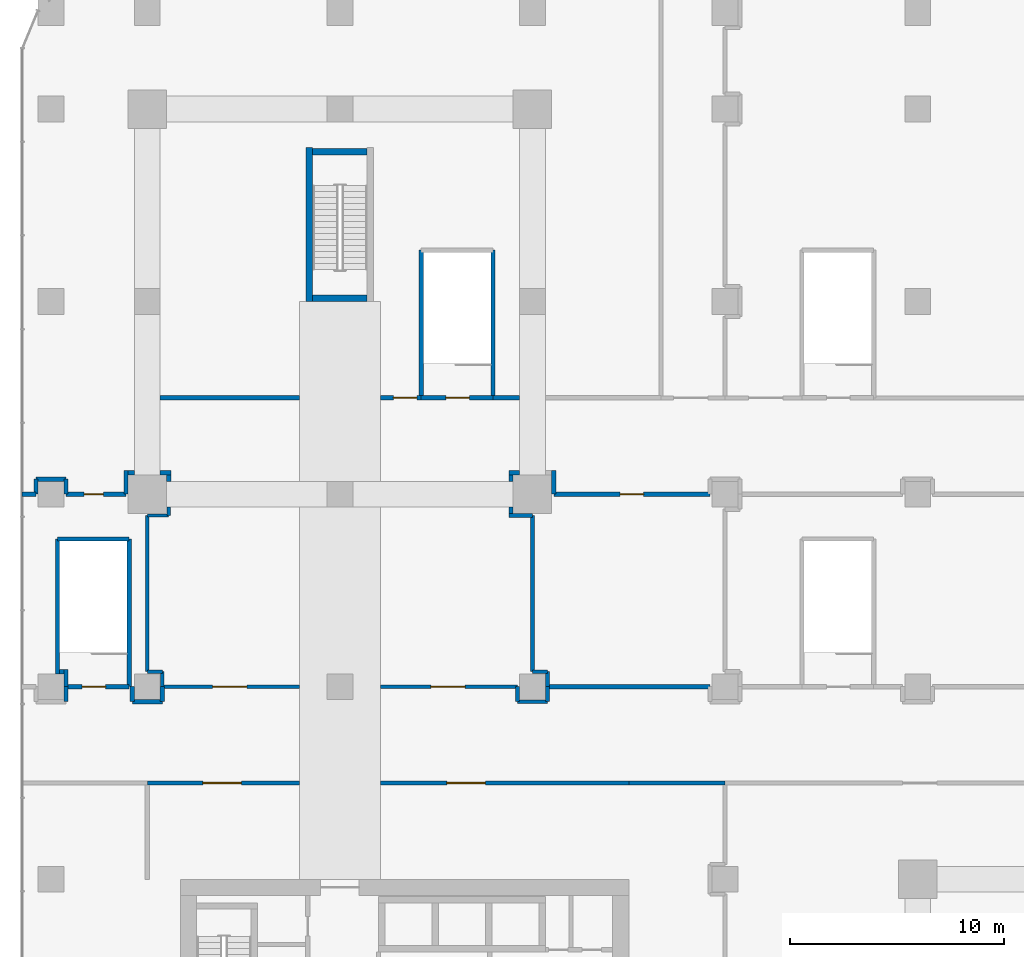
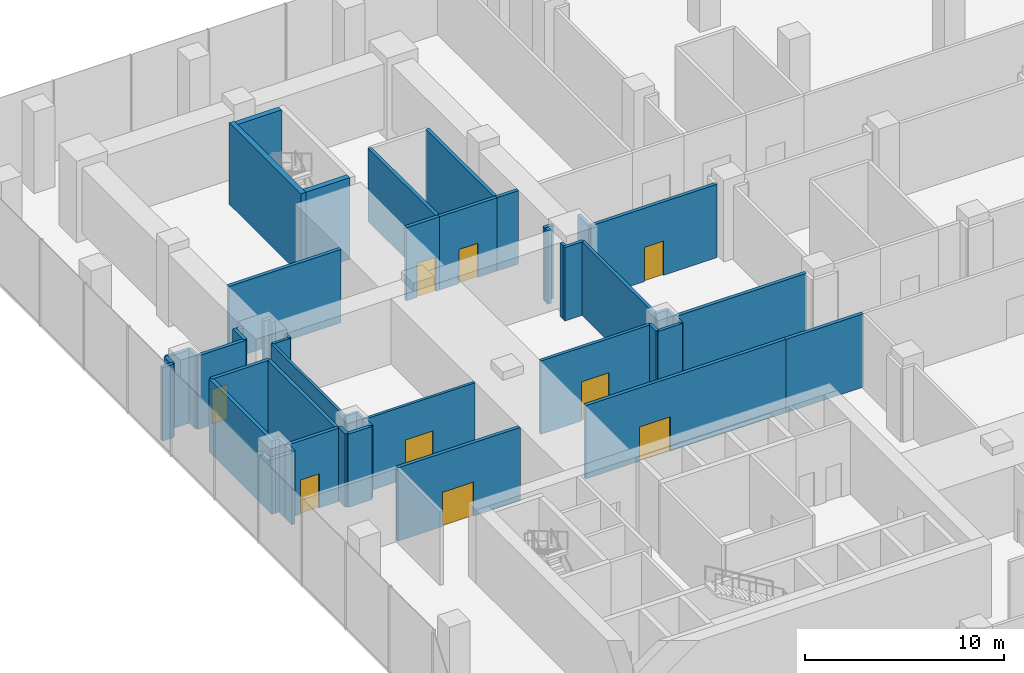
# One storey, part 26 of 36: 51 walls, 9 doors, 9 openings.
"""IFC4 building model written with IfcOpenShell, lengths in metres."""

from ifc_helpers import new_model, si_unit, direction, frame, frame_2d, origin, place, context, subcontext, project, spatial, rectangle, extrude, material, layer, layer_set, type_object, element, fill, save


model = new_model("IFC4")

# Units and contexts
model_context = context("Model", 3, precision=1e-05, world=origin(), true_north=direction((0.0, 1.0)))
body_context = subcontext(model_context, "Body", "Model", "MODEL_VIEW")
ifc_project = project(units=[si_unit("LENGTHUNIT", "METRE"), si_unit("AREAUNIT", "SQUARE_METRE"), si_unit("VOLUMEUNIT", "CUBIC_METRE"), si_unit("PLANEANGLEUNIT", "RADIAN"), si_unit("MASSUNIT", "GRAM", prefix="KILO")], contexts=[model_context])

# Site, building, storey
site_placement = place(None, origin())
site = spatial("IfcSite", under=ifc_project, at=site_placement, CompositionType="ELEMENT")
building_placement = place(site_placement, origin())
building = spatial("IfcBuilding", under=site, at=building_placement, Name="Plateau Cross Towers", CompositionType="ELEMENT")
storey_placement = place(building_placement, frame((0.0, 0.0, 21.800048828125)))
storey = spatial("IfcBuildingStorey", under=building, at=storey_placement, Name="L04", CompositionType="ELEMENT", Elevation=21.800048828125)

# Walls
ifc_material_1 = material(Name="Dense masonry block, plastered, acoustic lining", Category="masonry")
ifc_layer_1 = layer(ifc_material_1, 0.179931640625)
ifc_layer_set_1 = layer_set([ifc_layer_1], Name="Dense masonry block, plastered, acoustic lining")
wall_type_1 = type_object("IfcWallType", Name="Plant room acoustic wall 180", PredefinedType="PARTITIONING", material=ifc_layer_set_1)
wall_1_placement = place(storey_placement, frame((17.0, 35.39990234375, 0.0), z_axis=(0.0, 0.0, 1.0), x_axis=(0.0, -1.0, 0.0)))
element("IfcWall", 1, at=wall_1_placement, inside=storey, type_object=wall_type_1, Name="Partition wall", PredefinedType="PARTITIONING", context=body_context, shape_type="SweptSolid", body=[
    extrude(rectangle(XDim=0.309814453125, YDim=0.179931640625, at=frame_2d((0.15478515625, 0.0))), origin(), (0.0, 0.0, 1.0), 4.5),
])
wall_2_placement = place(storey_placement, frame((16.909912109375, 35.0, 0.0), z_axis=(0.0, 0.0, 1.0), x_axis=(1.0, 0.0, 0.0)))
element("IfcWall", 2, at=wall_2_placement, inside=storey, type_object=wall_type_1, Name="Partition wall", PredefinedType="PARTITIONING", context=body_context, shape_type="SweptSolid", body=[
    extrude(rectangle(XDim=1.090087890625, YDim=0.179931640625, at=frame_2d((0.544921875, 0.0))), origin(), (0.0, 0.0, 1.0), 4.5),
])
wall_3_placement = place(storey_placement, frame((18.0, 35.0, 0.0), z_axis=(0.0, 0.0, 1.0), x_axis=(0.0, -1.0, 0.0)))
element("IfcWall", 3, at=wall_3_placement, inside=storey, type_object=wall_type_1, Name="Partition wall", PredefinedType="PARTITIONING", context=body_context, shape_type="SweptSolid", body=[
    extrude(rectangle(XDim=7.300048828125, YDim=0.179931640625, at=frame_2d((3.64990234375, 0.0))), origin(), (0.0, 0.0, 1.0), 4.5),
])
for number, where, z_axis, x_axis, name in (
    (4, (18.0, 27.699951171875, 0.0), (0.0, 0.0, 1.0), (1.0, 0.0, 0.0), "Partition wall"),
    (5, (18.699951171875, 27.699951171875, 0.0), (0.0, 0.0, 1.0), (0.0, -1.0, 0.0), "Partition wall"),
):
    element("IfcWall", number, at=place(storey_placement, frame(where, z_axis=z_axis, x_axis=x_axis)), inside=storey, type_object=wall_type_1, Name=name, PredefinedType="PARTITIONING", context=body_context, shape_type="SweptSolid", body=[
        extrude(rectangle(XDim=0.699951171875, YDim=0.179931640625, at=frame_2d((0.35009765625, 0.0))), origin(), (0.0, 0.0, 1.0), 4.5),
    ])

# Wall, opening, door
wall_4_placement = place(storey_placement, frame((10.89990234375, 27.0, 0.0), z_axis=(0.0, 0.0, 1.0), x_axis=(1.0, 0.0, 0.0)))
wall_4 = element("IfcWall", 6, at=wall_4_placement, inside=storey, type_object=wall_type_1, Name="Partition wall", PredefinedType="PARTITIONING", context=body_context, shape_type="SweptSolid", body=[
    extrude(rectangle(XDim=6.400146484375, YDim=0.179931640625, at=frame_2d((3.2001953125, 0.0))), origin(), (0.0, 0.0, 1.0), 4.5),
])
opening_1_placement = place(wall_4_placement, frame((2.35009765625, 0.0, 0.0)))
opening_1 = element("IfcOpeningElement", 7, at=opening_1_placement, cuts=wall_4, Name="Opening 04-18", PredefinedType="OPENING", context=body_context, shape_type="SweptSolid", body=[
    extrude(rectangle(XDim=1.60009765625, YDim=2.39990234375, at=frame_2d((0.800048828125, 1.199951171875))), frame((0.0, 0.099853515625, 0.0), z_axis=(0.0, -1.0, 0.0), x_axis=(1.0, 0.0, 0.0)), (0.0, 0.0, 1.0), 0.199951171875),
])
ifc_material_2 = material(Name="Steel, fire-resisting double leaf with louvre panel", Category="steel")
door_type_1 = type_object("IfcDoorType", Name="Plant room double door 1600x2400", OperationType="NOTDEFINED", PredefinedType="DOOR", material=ifc_material_2)
door_1_placement = place(opening_1_placement, origin())
door_1 = element("IfcDoor", 8, at=door_1_placement, inside=storey, type_object=door_type_1, Name="Door 04-18", OperationType="SINGLE_SWING_LEFT", OverallHeight=2.39990234375, OverallWidth=1.60009765625, PredefinedType="DOOR", context=body_context, shape_type="SweptSolid", body=[
    extrude(rectangle(XDim=1.60009765625, YDim=2.39990234375, at=frame_2d((0.800048828125, 1.199951171875))), frame((0.0, 0.02490234375, 0.0), z_axis=(0.0, -1.0, 0.0), x_axis=(1.0, 0.0, 0.0)), (0.0, 0.0, 1.0), 0.050048828125),
])
fill(opening_1, door_1)

# Walls
wall_5_placement = place(storey_placement, frame((17.300048828125, 27.0, 0.0), z_axis=(0.0, 0.0, 1.0), x_axis=(0.0, -1.0, 0.0)))
element("IfcWall", 9, at=wall_5_placement, inside=storey, type_object=wall_type_1, Name="Partition wall", PredefinedType="PARTITIONING", context=body_context, shape_type="SweptSolid", body=[
    extrude(rectangle(XDim=0.699951171875, YDim=0.179931640625, at=frame_2d((0.35009765625, 0.0))), origin(), (0.0, 0.0, 1.0), 4.5),
])
wall_6_placement = place(storey_placement, frame((17.300048828125, 26.300048828125, 0.0), z_axis=(0.0, 0.0, 1.0), x_axis=(1.0, 0.0, 0.0)))
element("IfcWall", 10, at=wall_6_placement, inside=storey, type_object=wall_type_1, Name="Partition wall", PredefinedType="PARTITIONING", context=body_context, shape_type="SweptSolid", body=[
    extrude(rectangle(XDim=1.39990234375, YDim=0.179931640625, at=frame_2d((0.699951171875, 0.0))), origin(), (0.0, 0.0, 1.0), 4.5),
])
wall_7_placement = place(storey_placement, frame((18.699951171875, 26.300048828125, 0.0), z_axis=(0.0, 0.0, 1.0), x_axis=(0.0, 1.0, 0.0)))
element("IfcWall", 11, at=wall_7_placement, inside=storey, type_object=wall_type_1, Name="Partition wall", PredefinedType="PARTITIONING", context=body_context, shape_type="SweptSolid", body=[
    extrude(rectangle(XDim=0.699951171875, YDim=0.179931640625, at=frame_2d((0.35009765625, 0.0))), origin(), (0.0, 0.0, 1.0), 4.5),
])

# Wall, opening, door
ifc_material_3 = material(Name="Gypsum board on steel studs, two layers each side", Category="steel")
ifc_layer_2 = layer(ifc_material_3, 0.199951171875)
ifc_layer_set_2 = layer_set([ifc_layer_2], Name="Gypsum board on steel studs, two layers each side")
wall_type_2 = type_object("IfcWallType", Name="Podium compartment wall 200", PredefinedType="PARTITIONING", material=ifc_layer_set_2)
wall_8_placement = place(storey_placement, frame((26.300048828125, 36.0, 0.0), z_axis=(0.0, 0.0, 1.0), x_axis=(-1.0, 0.0, 0.0)))
wall_8 = element("IfcWall", 12, at=wall_8_placement, inside=storey, type_object=wall_type_2, Name="Partition wall", PredefinedType="PARTITIONING", context=body_context, shape_type="SweptSolid", body=[
    extrude(rectangle(XDim=7.300048828125, YDim=0.199951171875, at=frame_2d((3.64990234375, 0.0))), origin(), (0.0, 0.0, 1.0), 4.5),
])
opening_2_placement = place(wall_8_placement, frame((3.10009765625, 0.0, 0.0)))
opening_2 = element("IfcOpeningElement", 13, at=opening_2_placement, cuts=wall_8, Name="Opening 04-19", PredefinedType="OPENING", context=body_context, shape_type="SweptSolid", body=[
    extrude(rectangle(XDim=1.10009765625, YDim=2.10009765625, at=frame_2d((0.550048828125, 1.050048828125))), frame((0.0, 0.10986328125, 0.0), z_axis=(0.0, -1.0, 0.0), x_axis=(1.0, 0.0, 0.0)), (0.0, 0.0, 1.0), 0.219970703125),
])
ifc_material_4 = material(Name="Timber, fire-resisting leaf", Category="wood")
door_type_2 = type_object("IfcDoorType", Name="Podium fire door 1100", OperationType="NOTDEFINED", PredefinedType="DOOR", material=ifc_material_4)
door_2_placement = place(opening_2_placement, origin())
door_2 = element("IfcDoor", 14, at=door_2_placement, inside=storey, type_object=door_type_2, Name="Door 04-19", OperationType="SINGLE_SWING_LEFT", OverallHeight=2.10009765625, OverallWidth=1.10009765625, PredefinedType="DOOR", context=body_context, shape_type="SweptSolid", body=[
    extrude(rectangle(XDim=1.10009765625, YDim=2.10009765625, at=frame_2d((0.550048828125, 1.050048828125))), frame((0.0, 0.02490234375, 0.0), z_axis=(0.0, -1.0, 0.0), x_axis=(1.0, 0.0, 0.0)), (0.0, 0.0, 1.0), 0.050048828125),
])
fill(opening_2, door_2)

wall_9_placement = place(storey_placement, frame((10.89990234375, 40.5, 0.0), z_axis=(0.0, 0.0, 1.0), x_axis=(1.0, 0.0, 0.0)))
wall_9 = element("IfcWall", 15, at=wall_9_placement, inside=storey, type_object=wall_type_2, Name="Partition wall", PredefinedType="PARTITIONING", context=body_context, shape_type="SweptSolid", body=[
    extrude(rectangle(XDim=1.900146484375, YDim=0.199951171875, at=frame_2d((0.9501953125, 0.0))), origin(), (0.0, 0.0, 1.0), 4.5),
])
opening_3_placement = place(wall_9_placement, frame((0.60009765625, 0.0, 0.0)))
opening_3 = element("IfcOpeningElement", 16, at=opening_3_placement, cuts=wall_9, Name="Opening 04-03", PredefinedType="OPENING", context=body_context, shape_type="SweptSolid", body=[
    extrude(rectangle(XDim=1.10009765625, YDim=2.10009765625, at=frame_2d((0.550048828125, 1.050048828125))), frame((0.0, 0.10986328125, 0.0), z_axis=(0.0, -1.0, 0.0), x_axis=(1.0, 0.0, 0.0)), (0.0, 0.0, 1.0), 0.219970703125),
])
door_3_placement = place(opening_3_placement, origin())
door_3 = element("IfcDoor", 17, at=door_3_placement, inside=storey, type_object=door_type_2, Name="Door 04-03", OperationType="SINGLE_SWING_LEFT", OverallHeight=2.10009765625, OverallWidth=1.10009765625, PredefinedType="DOOR", context=body_context, shape_type="SweptSolid", body=[
    extrude(rectangle(XDim=1.10009765625, YDim=2.10009765625, at=frame_2d((0.550048828125, 1.050048828125))), frame((0.0, 0.02490234375, 0.0), z_axis=(0.0, -1.0, 0.0), x_axis=(1.0, 0.0, 0.0)), (0.0, 0.0, 1.0), 0.050048828125),
])
fill(opening_3, door_3)

wall_10_placement = place(storey_placement, frame((-3.800048828125, 36.0, 0.0), z_axis=(0.0, 0.0, 1.0), x_axis=(1.0, 0.0, 0.0)))
wall_10 = element("IfcWall", 18, at=wall_10_placement, inside=storey, type_object=wall_type_2, Name="Partition wall", PredefinedType="PARTITIONING", context=body_context, shape_type="SweptSolid", body=[
    extrude(rectangle(XDim=2.800048828125, YDim=0.199951171875, at=frame_2d((1.39990234375, 0.0))), origin(), (0.0, 0.0, 1.0), 4.5),
])
opening_4_placement = place(wall_10_placement, frame((0.85009765625, 0.0, 0.0)))
opening_4 = element("IfcOpeningElement", 19, at=opening_4_placement, cuts=wall_10, Name="Opening 04-02", PredefinedType="OPENING", context=body_context, shape_type="SweptSolid", body=[
    extrude(rectangle(XDim=0.89990234375, YDim=2.10009765625, at=frame_2d((0.449951171875, 1.050048828125))), frame((0.0, 0.10986328125, 0.0), z_axis=(0.0, -1.0, 0.0), x_axis=(1.0, 0.0, 0.0)), (0.0, 0.0, 1.0), 0.219970703125),
])
door_type_3 = type_object("IfcDoorType", Name="Podium service door 900", OperationType="NOTDEFINED", PredefinedType="DOOR", material=ifc_material_4)
door_4_placement = place(opening_4_placement, origin())
door_4 = element("IfcDoor", 20, at=door_4_placement, inside=storey, type_object=door_type_3, Name="Door 04-02", OperationType="SINGLE_SWING_LEFT", OverallHeight=2.10009765625, OverallWidth=0.89990234375, PredefinedType="DOOR", context=body_context, shape_type="SweptSolid", body=[
    extrude(rectangle(XDim=0.89990234375, YDim=2.10009765625, at=frame_2d((0.449951171875, 1.050048828125))), frame((0.0, 0.02490234375, 0.0), z_axis=(0.0, -1.0, 0.0), x_axis=(1.0, 0.0, 0.0)), (0.0, 0.0, 1.0), 0.050048828125),
])
fill(opening_4, door_4)

ifc_material_5 = material(Name="Gypsum board on steel studs", Category="steel")
ifc_layer_3 = layer(ifc_material_5, 0.199951171875)
ifc_layer_set_3 = layer_set([ifc_layer_3], Name="Gypsum board on steel studs")
wall_type_3 = type_object("IfcWallType", Name="Podium partition 200", PredefinedType="PARTITIONING", material=ifc_layer_set_3)
wall_11_placement = place(storey_placement, frame((10.89990234375, 22.5, 0.0), z_axis=(0.0, 0.0, 1.0), x_axis=(1.0, 0.0, 0.0)))
wall_11 = element("IfcWall", 21, at=wall_11_placement, inside=storey, type_object=wall_type_3, Name="Partition wall", PredefinedType="PARTITIONING", context=body_context, shape_type="SweptSolid", body=[
    extrude(rectangle(XDim=11.60009765625, YDim=0.199951171875, at=frame_2d((5.800048828125, 0.0))), origin(), (0.0, 0.0, 1.0), 4.5),
])
opening_5_placement = place(wall_11_placement, frame((3.10009765625, 0.0, 0.0)))
opening_5 = element("IfcOpeningElement", 22, at=opening_5_placement, cuts=wall_11, Name="Opening 04-04", PredefinedType="OPENING", context=body_context, shape_type="SweptSolid", body=[
    extrude(rectangle(XDim=1.800048828125, YDim=2.10009765625, at=frame_2d((0.89990234375, 1.050048828125))), frame((0.0, 0.10986328125, 0.0), z_axis=(0.0, -1.0, 0.0), x_axis=(1.0, 0.0, 0.0)), (0.0, 0.0, 1.0), 0.219970703125),
])
ifc_material_6 = material(Name="Aluminium frame, toughened glass", Category="aluminium")
door_type_4 = type_object("IfcDoorType", Name="Podium door pair 1800", OperationType="NOTDEFINED", PredefinedType="DOOR", material=ifc_material_6)
door_5_placement = place(opening_5_placement, origin())
door_5 = element("IfcDoor", 23, at=door_5_placement, inside=storey, type_object=door_type_4, Name="Door 04-04", OperationType="DOUBLE_DOOR_SINGLE_SWING", OverallHeight=2.10009765625, OverallWidth=1.800048828125, PredefinedType="DOOR", context=body_context, shape_type="SweptSolid", body=[
    extrude(rectangle(XDim=1.800048828125, YDim=2.10009765625, at=frame_2d((0.89990234375, 1.050048828125))), frame((0.0, 0.02490234375, 0.0), z_axis=(0.0, -1.0, 0.0), x_axis=(1.0, 0.0, 0.0)), (0.0, 0.0, 1.0), 0.050048828125),
])
fill(opening_5, door_5)

wall_12_placement = place(storey_placement, frame((0.0, 22.5, 0.0), z_axis=(0.0, 0.0, 1.0), x_axis=(1.0, 0.0, 0.0)))
wall_12 = element("IfcWall", 24, at=wall_12_placement, inside=storey, type_object=wall_type_3, Name="Partition wall", PredefinedType="PARTITIONING", context=body_context, shape_type="SweptSolid", body=[
    extrude(rectangle(XDim=7.10009765625, YDim=0.199951171875, at=frame_2d((3.550048828125, 0.0))), origin(), (0.0, 0.0, 1.0), 4.5),
])
opening_6_placement = place(wall_12_placement, frame((2.60009765625, 0.0, 0.0)))
opening_6 = element("IfcOpeningElement", 25, at=opening_6_placement, cuts=wall_12, Name="Opening 04-01", PredefinedType="OPENING", context=body_context, shape_type="SweptSolid", body=[
    extrude(rectangle(XDim=1.800048828125, YDim=2.10009765625, at=frame_2d((0.89990234375, 1.050048828125))), frame((0.0, 0.10986328125, 0.0), z_axis=(0.0, -1.0, 0.0), x_axis=(1.0, 0.0, 0.0)), (0.0, 0.0, 1.0), 0.219970703125),
])
door_6_placement = place(opening_6_placement, origin())
door_6 = element("IfcDoor", 26, at=door_6_placement, inside=storey, type_object=door_type_4, Name="Door 04-01", OperationType="DOUBLE_DOOR_SINGLE_SWING", OverallHeight=2.10009765625, OverallWidth=1.800048828125, PredefinedType="DOOR", context=body_context, shape_type="SweptSolid", body=[
    extrude(rectangle(XDim=1.800048828125, YDim=2.10009765625, at=frame_2d((0.89990234375, 1.050048828125))), frame((0.0, 0.02490234375, 0.0), z_axis=(0.0, -1.0, 0.0), x_axis=(1.0, 0.0, 0.0)), (0.0, 0.0, 1.0), 0.050048828125),
])
fill(opening_6, door_6)

# Walls
wall_13_placement = place(storey_placement, frame((22.5, 22.5, 0.0), z_axis=(0.0, 0.0, 1.0), x_axis=(1.0, 0.0, 0.0)))
element("IfcWall", 27, at=wall_13_placement, inside=storey, type_object=wall_type_3, Name="Partition wall", PredefinedType="PARTITIONING", context=body_context, shape_type="SweptSolid", body=[
    extrude(rectangle(XDim=4.5, YDim=0.199951171875, at=frame_2d((2.25, 0.0))), origin(), (0.0, 0.0, 1.0), 4.5),
])
wall_14_placement = place(storey_placement, frame((19.0, 36.0, 0.0), z_axis=(0.0, 0.0, 1.0), x_axis=(0.0, 1.0, 0.0)))
element("IfcWall", 28, at=wall_14_placement, inside=storey, type_object=wall_type_3, Name="Partition wall", PredefinedType="PARTITIONING", context=body_context, shape_type="SweptSolid", body=[
    extrude(rectangle(XDim=1.10009765625, YDim=0.199951171875, at=frame_2d((0.550048828125, 0.0))), origin(), (0.0, 0.0, 1.0), 4.5),
])
wall_15_placement = place(storey_placement, frame((17.39990234375, 37.0, 0.0), z_axis=(0.0, 0.0, 1.0), x_axis=(-1.0, 0.0, 0.0)))
element("IfcWall", 29, at=wall_15_placement, inside=storey, type_object=wall_type_3, Name="Partition wall", PredefinedType="PARTITIONING", context=body_context, shape_type="SweptSolid", body=[
    extrude(rectangle(XDim=0.5, YDim=0.199951171875, at=frame_2d((0.25, 0.0))), origin(), (0.0, 0.0, 1.0), 4.5),
])
wall_16_placement = place(storey_placement, frame((17.0, 36.89990234375, 0.0), z_axis=(0.0, 0.0, 1.0), x_axis=(0.0, -1.0, 0.0)))
element("IfcWall", 30, at=wall_16_placement, inside=storey, type_object=wall_type_3, Name="Partition wall", PredefinedType="PARTITIONING", context=body_context, shape_type="SweptSolid", body=[
    extrude(rectangle(XDim=0.2998046875, YDim=0.199951171875, at=frame_2d((0.14990234375, 0.0))), origin(), (0.0, 0.0, 1.0), 4.5),
])
wall_17_placement = place(storey_placement, frame((0.60009765625, 40.5, 0.0), z_axis=(0.0, 0.0, 1.0), x_axis=(1.0, 0.0, 0.0)))
element("IfcWall", 31, at=wall_17_placement, inside=storey, type_object=wall_type_3, Name="Partition wall", PredefinedType="PARTITIONING", context=body_context, shape_type="SweptSolid", body=[
    extrude(rectangle(XDim=6.5, YDim=0.199951171875, at=frame_2d((3.25, 0.0))), origin(), (0.0, 0.0, 1.0), 4.5),
])
wall_18_placement = place(storey_placement, frame((18.699951171875, 27.0, 0.0), z_axis=(0.0, 0.0, 1.0), x_axis=(1.0, 0.0, 0.0)))
element("IfcWall", 32, at=wall_18_placement, inside=storey, type_object=wall_type_3, Name="Partition wall", PredefinedType="PARTITIONING", context=body_context, shape_type="SweptSolid", body=[
    extrude(rectangle(XDim=7.60009765625, YDim=0.199951171875, at=frame_2d((3.800048828125, 0.0))), origin(), (0.0, 0.0, 1.0), 4.5),
])
wall_19_placement = place(storey_placement, frame((-5.85009765625, 36.0, 0.0), z_axis=(0.0, 0.0, 1.0), x_axis=(1.0, 0.0, 0.0)))
element("IfcWall", 33, at=wall_19_placement, inside=storey, type_object=wall_type_3, Name="Partition wall", PredefinedType="PARTITIONING", context=body_context, shape_type="SweptSolid", body=[
    extrude(rectangle(XDim=0.650146484375, YDim=0.199951171875, at=frame_2d((0.3251953125, 0.0))), origin(), (0.0, 0.0, 1.0), 4.5),
])
wall_20_placement = place(storey_placement, frame((-5.199951171875, 36.0, 0.0), z_axis=(0.0, 0.0, 1.0), x_axis=(0.0, 1.0, 0.0)))
element("IfcWall", 34, at=wall_20_placement, inside=storey, type_object=wall_type_3, Name="Partition wall", PredefinedType="PARTITIONING", context=body_context, shape_type="SweptSolid", body=[
    extrude(rectangle(XDim=0.699951171875, YDim=0.199951171875, at=frame_2d((0.35009765625, 0.0))), origin(), (0.0, 0.0, 1.0), 4.5),
])
wall_21_placement = place(storey_placement, frame((-5.199951171875, 36.699951171875, 0.0), z_axis=(0.0, 0.0, 1.0), x_axis=(1.0, 0.0, 0.0)))
element("IfcWall", 35, at=wall_21_placement, inside=storey, type_object=wall_type_3, Name="Partition wall", PredefinedType="PARTITIONING", context=body_context, shape_type="SweptSolid", body=[
    extrude(rectangle(XDim=1.39990234375, YDim=0.199951171875, at=frame_2d((0.699951171875, 0.0))), origin(), (0.0, 0.0, 1.0), 4.5),
])
wall_22_placement = place(storey_placement, frame((-3.800048828125, 36.699951171875, 0.0), z_axis=(0.0, 0.0, 1.0), x_axis=(0.0, -1.0, 0.0)))
element("IfcWall", 36, at=wall_22_placement, inside=storey, type_object=wall_type_3, Name="Partition wall", PredefinedType="PARTITIONING", context=body_context, shape_type="SweptSolid", body=[
    extrude(rectangle(XDim=0.699951171875, YDim=0.199951171875, at=frame_2d((0.35009765625, 0.0))), origin(), (0.0, 0.0, 1.0), 4.5),
])
wall_23_placement = place(storey_placement, frame((-1.0, 36.0, 0.0), z_axis=(0.0, 0.0, 1.0), x_axis=(0.0, 1.0, 0.0)))
element("IfcWall", 37, at=wall_23_placement, inside=storey, type_object=wall_type_3, Name="Partition wall", PredefinedType="PARTITIONING", context=body_context, shape_type="SweptSolid", body=[
    extrude(rectangle(XDim=1.10009765625, YDim=0.199951171875, at=frame_2d((0.550048828125, 0.0))), origin(), (0.0, 0.0, 1.0), 4.5),
])
wall_24_placement = place(storey_placement, frame((-0.89990234375, 37.0, 0.0), z_axis=(0.0, 0.0, 1.0), x_axis=(1.0, 0.0, 0.0)))
element("IfcWall", 38, at=wall_24_placement, inside=storey, type_object=wall_type_3, Name="Partition wall", PredefinedType="PARTITIONING", context=body_context, shape_type="SweptSolid", body=[
    extrude(rectangle(XDim=0.2998046875, YDim=0.199951171875, at=frame_2d((0.14990234375, 0.0))), origin(), (0.0, 0.0, 1.0), 4.5),
])
wall_25_placement = place(storey_placement, frame((16.14990234375, 40.5, 0.0), z_axis=(0.0, 0.0, 1.0), x_axis=(1.0, 0.0, 0.0)))
element("IfcWall", 39, at=wall_25_placement, inside=storey, type_object=wall_type_3, Name="Partition wall", PredefinedType="PARTITIONING", context=body_context, shape_type="SweptSolid", body=[
    extrude(rectangle(XDim=1.25, YDim=0.199951171875, at=frame_2d((0.625, 0.0))), origin(), (0.0, 0.0, 1.0), 4.5),
])
for number, where, z_axis, x_axis, name in (
    (40, (-3.800048828125, 26.300048828125, 0.0), (0.0, 0.0, 1.0), (0.0, 1.0, 0.0), "Partition wall"),
    (41, (-0.699951171875, 27.0, 0.0), (0.0, 0.0, 1.0), (0.0, -1.0, 0.0), "Partition wall"),
):
    element("IfcWall", number, at=place(storey_placement, frame(where, z_axis=z_axis, x_axis=x_axis)), inside=storey, type_object=wall_type_3, Name=name, PredefinedType="PARTITIONING", context=body_context, shape_type="SweptSolid", body=[
        extrude(rectangle(XDim=0.699951171875, YDim=0.199951171875, at=frame_2d((0.35009765625, 0.0))), origin(), (0.0, 0.0, 1.0), 4.5),
    ])
wall_26_placement = place(storey_placement, frame((-0.699951171875, 26.300048828125, 0.0), z_axis=(0.0, 0.0, 1.0), x_axis=(1.0, 0.0, 0.0)))
element("IfcWall", 42, at=wall_26_placement, inside=storey, type_object=wall_type_3, Name="Partition wall", PredefinedType="PARTITIONING", context=body_context, shape_type="SweptSolid", body=[
    extrude(rectangle(XDim=1.39990234375, YDim=0.199951171875, at=frame_2d((0.699951171875, 0.0))), origin(), (0.0, 0.0, 1.0), 4.5),
])
wall_27_placement = place(storey_placement, frame((0.699951171875, 26.300048828125, 0.0), z_axis=(0.0, 0.0, 1.0), x_axis=(0.0, 1.0, 0.0)))
element("IfcWall", 43, at=wall_27_placement, inside=storey, type_object=wall_type_3, Name="Partition wall", PredefinedType="PARTITIONING", context=body_context, shape_type="SweptSolid", body=[
    extrude(rectangle(XDim=0.699951171875, YDim=0.199951171875, at=frame_2d((0.35009765625, 0.0))), origin(), (0.0, 0.0, 1.0), 4.5),
])
wall_28_placement = place(storey_placement, frame((1.0, 36.60009765625, 0.0), z_axis=(0.0, 0.0, 1.0), x_axis=(0.0, 1.0, 0.0)))
element("IfcWall", 44, at=wall_28_placement, inside=storey, type_object=wall_type_3, Name="Partition wall", PredefinedType="PARTITIONING", context=body_context, shape_type="SweptSolid", body=[
    extrude(rectangle(XDim=0.2998046875, YDim=0.199951171875, at=frame_2d((0.14990234375, 0.0))), origin(), (0.0, 0.0, 1.0), 4.5),
])
wall_29_placement = place(storey_placement, frame((1.10009765625, 37.0, 0.0), z_axis=(0.0, 0.0, 1.0), x_axis=(-1.0, 0.0, 0.0)))
element("IfcWall", 45, at=wall_29_placement, inside=storey, type_object=wall_type_3, Name="Partition wall", PredefinedType="PARTITIONING", context=body_context, shape_type="SweptSolid", body=[
    extrude(rectangle(XDim=0.5, YDim=0.199951171875, at=frame_2d((0.25, 0.0))), origin(), (0.0, 0.0, 1.0), 4.5),
])
ifc_material_7 = material(Name="Fire-rated plasterboard shaft wall system")
ifc_layer_4 = layer(ifc_material_7, 0.199951171875)
ifc_layer_set_4 = layer_set([ifc_layer_4], Name="Fire-rated plasterboard shaft wall system")
wall_type_4 = type_object("IfcWallType", Name="Podium stair shaft wall 200", PredefinedType="PARTITIONING", material=ifc_layer_set_4)
for number, where, z_axis, x_axis, name in (
    (46, (12.800048828125, 40.5, 0.0), (0.0, 0.0, 1.0), (0.0, 1.0, 0.0), "Partition wall"),
    (47, (16.14990234375, 47.39990234375, 0.0), (0.0, 0.0, 1.0), (0.0, -1.0, 0.0), "Partition wall"),
):
    element("IfcWall", number, at=place(storey_placement, frame(where, z_axis=z_axis, x_axis=x_axis)), inside=storey, type_object=wall_type_4, Name=name, PredefinedType="PARTITIONING", context=body_context, shape_type="SweptSolid", body=[
        extrude(rectangle(XDim=6.89990234375, YDim=0.199951171875, at=frame_2d((3.449951171875, 0.0))), origin(), (0.0, 0.0, 1.0), 4.5),
    ])
wall_30_placement = place(storey_placement, frame((-4.199951171875, 33.89990234375, 0.0), z_axis=(0.0, 0.0, 1.0), x_axis=(1.0, 0.0, 0.0)))
element("IfcWall", 48, at=wall_30_placement, inside=storey, type_object=wall_type_4, Name="Partition wall", PredefinedType="PARTITIONING", context=body_context, shape_type="SweptSolid", body=[
    extrude(rectangle(XDim=3.349853515625, YDim=0.199951171875, at=frame_2d((1.6748046875, 0.0))), origin(), (0.0, 0.0, 1.0), 4.5),
])
wall_31_placement = place(storey_placement, frame((-0.85009765625, 33.89990234375, 0.0), z_axis=(0.0, 0.0, 1.0), x_axis=(0.0, -1.0, 0.0)))
element("IfcWall", 49, at=wall_31_placement, inside=storey, type_object=wall_type_4, Name="Partition wall", PredefinedType="PARTITIONING", context=body_context, shape_type="SweptSolid", body=[
    extrude(rectangle(XDim=6.89990234375, YDim=0.199951171875, at=frame_2d((3.449951171875, 0.0))), origin(), (0.0, 0.0, 1.0), 4.5),
])
wall_32_placement = place(storey_placement, frame((-3.800048828125, 27.0, 0.0), z_axis=(0.0, 0.0, 1.0), x_axis=(0.0, 1.0, 0.0)))
element("IfcWall", 50, at=wall_32_placement, inside=storey, type_object=wall_type_4, Name="Partition wall", PredefinedType="PARTITIONING", context=body_context, shape_type="SweptSolid", body=[
    extrude(rectangle(XDim=0.800048828125, YDim=0.199951171875, at=frame_2d((0.39990234375, 0.0))), origin(), (0.0, 0.0, 1.0), 4.5),
])
wall_33_placement = place(storey_placement, frame((-3.89990234375, 27.699951171875, 0.0), z_axis=(0.0, 0.0, 1.0), x_axis=(-1.0, 0.0, 0.0)))
element("IfcWall", 51, at=wall_33_placement, inside=storey, type_object=wall_type_4, Name="Partition wall", PredefinedType="PARTITIONING", context=body_context, shape_type="SweptSolid", body=[
    extrude(rectangle(XDim=0.2001953125, YDim=0.199951171875, at=frame_2d((0.10009765625, 0.0))), origin(), (0.0, 0.0, 1.0), 4.5),
])
wall_34_placement = place(storey_placement, frame((-4.199951171875, 27.60009765625, 0.0), z_axis=(0.0, 0.0, 1.0), x_axis=(0.0, 1.0, 0.0)))
element("IfcWall", 52, at=wall_34_placement, inside=storey, type_object=wall_type_4, Name="Partition wall", PredefinedType="PARTITIONING", context=body_context, shape_type="SweptSolid", body=[
    extrude(rectangle(XDim=6.2998046875, YDim=0.199951171875, at=frame_2d((3.14990234375, 0.0))), origin(), (0.0, 0.0, 1.0), 4.5),
])

# Wall, opening, door
wall_35_placement = place(storey_placement, frame((16.14990234375, 40.5, 0.0), z_axis=(0.0, 0.0, 1.0), x_axis=(-1.0, 0.0, 0.0)))
wall_35 = element("IfcWall", 53, at=wall_35_placement, inside=storey, type_object=wall_type_4, Name="Partition wall", PredefinedType="PARTITIONING", context=body_context, shape_type="SweptSolid", body=[
    extrude(rectangle(XDim=3.349853515625, YDim=0.199951171875, at=frame_2d((1.6748046875, 0.0))), origin(), (0.0, 0.0, 1.0), 4.5),
])
opening_7_placement = place(wall_35_placement, frame((1.10009765625, 0.0, 0.0)))
opening_7 = element("IfcOpeningElement", 54, at=opening_7_placement, cuts=wall_35, Name="Opening 04-10", PredefinedType="OPENING", context=body_context, shape_type="SweptSolid", body=[
    extrude(rectangle(XDim=1.10009765625, YDim=2.10009765625, at=frame_2d((0.550048828125, 1.050048828125))), frame((0.0, 0.10986328125, 0.0), z_axis=(0.0, -1.0, 0.0), x_axis=(1.0, 0.0, 0.0)), (0.0, 0.0, 1.0), 0.219970703125),
])
ifc_material_8 = material(Name="Steel, fire-resisting leaf", Category="steel")
door_type_5 = type_object("IfcDoorType", Name="Podium stair door 1100", OperationType="NOTDEFINED", PredefinedType="DOOR", material=ifc_material_8)
door_7_placement = place(opening_7_placement, origin())
door_7 = element("IfcDoor", 55, at=door_7_placement, inside=storey, type_object=door_type_5, Name="Door 04-10", OperationType="SINGLE_SWING_LEFT", OverallHeight=2.10009765625, OverallWidth=1.10009765625, PredefinedType="DOOR", context=body_context, shape_type="SweptSolid", body=[
    extrude(rectangle(XDim=1.10009765625, YDim=2.10009765625, at=frame_2d((0.550048828125, 1.050048828125))), frame((0.0, 0.02490234375, 0.0), z_axis=(0.0, -1.0, 0.0), x_axis=(1.0, 0.0, 0.0)), (0.0, 0.0, 1.0), 0.050048828125),
])
fill(opening_7, door_7)

wall_36_placement = place(storey_placement, frame((-0.85009765625, 27.0, 0.0), z_axis=(0.0, 0.0, 1.0), x_axis=(-1.0, 0.0, 0.0)))
wall_36 = element("IfcWall", 56, at=wall_36_placement, inside=storey, type_object=wall_type_4, Name="Partition wall", PredefinedType="PARTITIONING", context=body_context, shape_type="SweptSolid", body=[
    extrude(rectangle(XDim=2.849853515625, YDim=0.199951171875, at=frame_2d((1.4248046875, 0.0))), origin(), (0.0, 0.0, 1.0), 4.5),
])
opening_8_placement = place(wall_36_placement, frame((1.10009765625, 0.0, 0.0)))
opening_8 = element("IfcOpeningElement", 57, at=opening_8_placement, cuts=wall_36, Name="Opening 04-08", PredefinedType="OPENING", context=body_context, shape_type="SweptSolid", body=[
    extrude(rectangle(XDim=1.10009765625, YDim=2.10009765625, at=frame_2d((0.550048828125, 1.050048828125))), frame((0.0, 0.10986328125, 0.0), z_axis=(0.0, -1.0, 0.0), x_axis=(1.0, 0.0, 0.0)), (0.0, 0.0, 1.0), 0.219970703125),
])
door_8_placement = place(opening_8_placement, origin())
door_8 = element("IfcDoor", 58, at=door_8_placement, inside=storey, type_object=door_type_5, Name="Door 04-08", OperationType="SINGLE_SWING_LEFT", OverallHeight=2.10009765625, OverallWidth=1.10009765625, PredefinedType="DOOR", context=body_context, shape_type="SweptSolid", body=[
    extrude(rectangle(XDim=1.10009765625, YDim=2.10009765625, at=frame_2d((0.550048828125, 1.050048828125))), frame((0.0, 0.02490234375, 0.0), z_axis=(0.0, -1.0, 0.0), x_axis=(1.0, 0.0, 0.0)), (0.0, 0.0, 1.0), 0.050048828125),
])
fill(opening_8, door_8)

# Walls
ifc_material_9 = material(Name="Fire-rated board lining on steel studs", Category="steel")
ifc_layer_5 = layer(ifc_material_9, 0.14990234375)
ifc_layer_set_5 = layer_set([ifc_layer_5], Name="Fire-rated board lining on steel studs")
wall_type_5 = type_object("IfcWallType", Name="Riser shaft lining 150", PredefinedType="PARTITIONING", material=ifc_layer_set_5)
wall_37_placement = place(storey_placement, frame((1.0, 35.39990234375, 0.0), z_axis=(0.0, 0.0, 1.0), x_axis=(0.0, -1.0, 0.0)))
element("IfcWall", 59, at=wall_37_placement, inside=storey, type_object=wall_type_5, Name="Partition wall", PredefinedType="PARTITIONING", context=body_context, shape_type="SweptSolid", body=[
    extrude(rectangle(XDim=0.39990234375, YDim=0.14990234375, at=frame_2d((0.199951171875, 0.0))), origin(), (0.0, 0.0, 1.0), 4.5),
])
wall_38_placement = place(storey_placement, frame((1.0, 35.0, 0.0), z_axis=(0.0, 0.0, 1.0), x_axis=(-1.0, 0.0, 0.0)))
element("IfcWall", 60, at=wall_38_placement, inside=storey, type_object=wall_type_5, Name="Partition wall", PredefinedType="PARTITIONING", context=body_context, shape_type="SweptSolid", body=[
    extrude(rectangle(XDim=1.0, YDim=0.14990234375, at=frame_2d((0.5, 0.0))), origin(), (0.0, 0.0, 1.0), 4.5),
])
wall_39_placement = place(storey_placement, frame((0.0, 35.0, 0.0), z_axis=(0.0, 0.0, 1.0), x_axis=(0.0, -1.0, 0.0)))
element("IfcWall", 61, at=wall_39_placement, inside=storey, type_object=wall_type_5, Name="Partition wall", PredefinedType="PARTITIONING", context=body_context, shape_type="SweptSolid", body=[
    extrude(rectangle(XDim=7.300048828125, YDim=0.14990234375, at=frame_2d((3.64990234375, 0.0))), origin(), (0.0, 0.0, 1.0), 4.5),
])
for number, where, z_axis, x_axis, name in (
    (62, (0.0, 27.699951171875, 0.0), (0.0, 0.0, 1.0), (1.0, 0.0, 0.0), "Partition wall"),
    (63, (0.699951171875, 27.699951171875, 0.0), (0.0, 0.0, 1.0), (0.0, -1.0, 0.0), "Partition wall"),
):
    element("IfcWall", number, at=place(storey_placement, frame(where, z_axis=z_axis, x_axis=x_axis)), inside=storey, type_object=wall_type_5, Name=name, PredefinedType="PARTITIONING", context=body_context, shape_type="SweptSolid", body=[
        extrude(rectangle(XDim=0.699951171875, YDim=0.14990234375, at=frame_2d((0.35009765625, 0.0))), origin(), (0.0, 0.0, 1.0), 4.5),
    ])

# Wall, opening, door
wall_40_placement = place(storey_placement, frame((0.699951171875, 27.0, 0.0), z_axis=(0.0, 0.0, 1.0), x_axis=(1.0, 0.0, 0.0)))
wall_40 = element("IfcWall", 64, at=wall_40_placement, inside=storey, type_object=wall_type_5, Name="Partition wall", PredefinedType="PARTITIONING", context=body_context, shape_type="SweptSolid", body=[
    extrude(rectangle(XDim=6.400146484375, YDim=0.14990234375, at=frame_2d((3.2001953125, 0.0))), origin(), (0.0, 0.0, 1.0), 4.5),
])
opening_9_placement = place(wall_40_placement, frame((2.35009765625, 0.0, 0.0)))
opening_9 = element("IfcOpeningElement", 65, at=opening_9_placement, cuts=wall_40, Name="Opening 04-17", PredefinedType="OPENING", context=body_context, shape_type="SweptSolid", body=[
    extrude(rectangle(XDim=1.60009765625, YDim=2.39990234375, at=frame_2d((0.800048828125, 1.199951171875))), frame((0.0, 0.0849609375, 0.0), z_axis=(0.0, -1.0, 0.0), x_axis=(1.0, 0.0, 0.0)), (0.0, 0.0, 1.0), 0.169921875),
])
door_9_placement = place(opening_9_placement, origin())
door_9 = element("IfcDoor", 66, at=door_9_placement, inside=storey, type_object=door_type_1, Name="Door 04-17", OperationType="SINGLE_SWING_LEFT", OverallHeight=2.39990234375, OverallWidth=1.60009765625, PredefinedType="DOOR", context=body_context, shape_type="SweptSolid", body=[
    extrude(rectangle(XDim=1.60009765625, YDim=2.39990234375, at=frame_2d((0.800048828125, 1.199951171875))), frame((0.0, 0.02490234375, 0.0), z_axis=(0.0, -1.0, 0.0), x_axis=(1.0, 0.0, 0.0)), (0.0, 0.0, 1.0), 0.050048828125),
])
fill(opening_9, door_9)

# Walls
ifc_material_10 = material(Name="Concrete C60/75", Category="concrete")
ifc_layer_6 = layer(ifc_material_10, 0.300048828125)
ifc_layer_set_6 = layer_set([ifc_layer_6], Name="Concrete C60/75")
wall_type_6 = type_object("IfcWallType", Name="Stair tower wall 300", PredefinedType="SHEAR", material=ifc_layer_set_6)
for number, where, z_axis, x_axis, name in (
    (67, (7.72509765625, 45.14990234375, 0.0), (0.0, 0.0, 1.0), (1.0, 0.0, 0.0), "A-end-N-S@L04"),
    (68, (7.72509765625, 52.0, 0.0), (0.0, 0.0, 1.0), (1.0, 0.0, 0.0), "A-end-N-N@L04"),
):
    element("IfcWall", number, at=place(storey_placement, frame(where, z_axis=z_axis, x_axis=x_axis)), inside=storey, type_object=wall_type_6, Name=name, PredefinedType="SHEAR", context=body_context, shape_type="SweptSolid", body=[
        extrude(rectangle(XDim=2.5498046875, YDim=0.300048828125, at=frame_2d((1.27490234375, 0.0))), origin(), (0.0, 0.0, 1.0), 5.0),
    ])
wall_41_placement = place(storey_placement, frame((7.574951171875, 45.0, 0.0), z_axis=(0.0, 0.0, 1.0), x_axis=(0.0, 1.0, 0.0)))
element("IfcWall", 69, at=wall_41_placement, inside=storey, type_object=wall_type_6, Name="A-end-N-W@L04", PredefinedType="SHEAR", context=body_context, shape_type="SweptSolid", body=[
    extrude(rectangle(XDim=7.199951171875, YDim=0.300048828125, at=frame_2d((3.60009765625, 0.0))), origin(), (0.0, 0.0, 1.0), 5.0),
])

save(model, "model.ifc")
